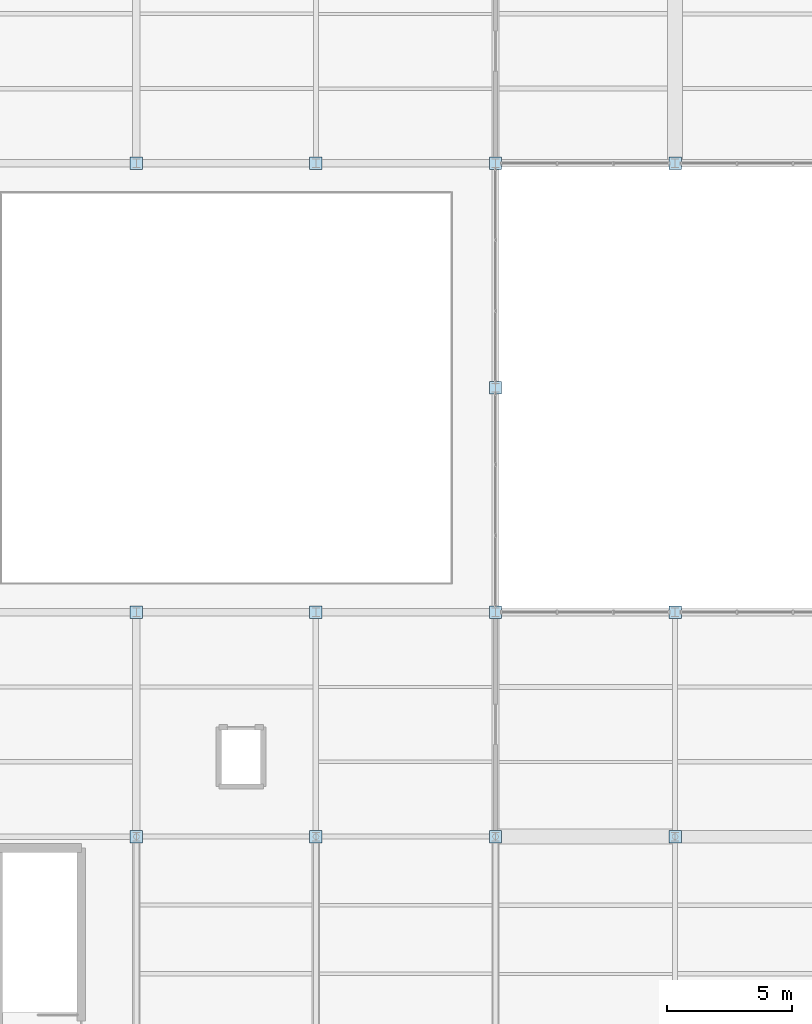
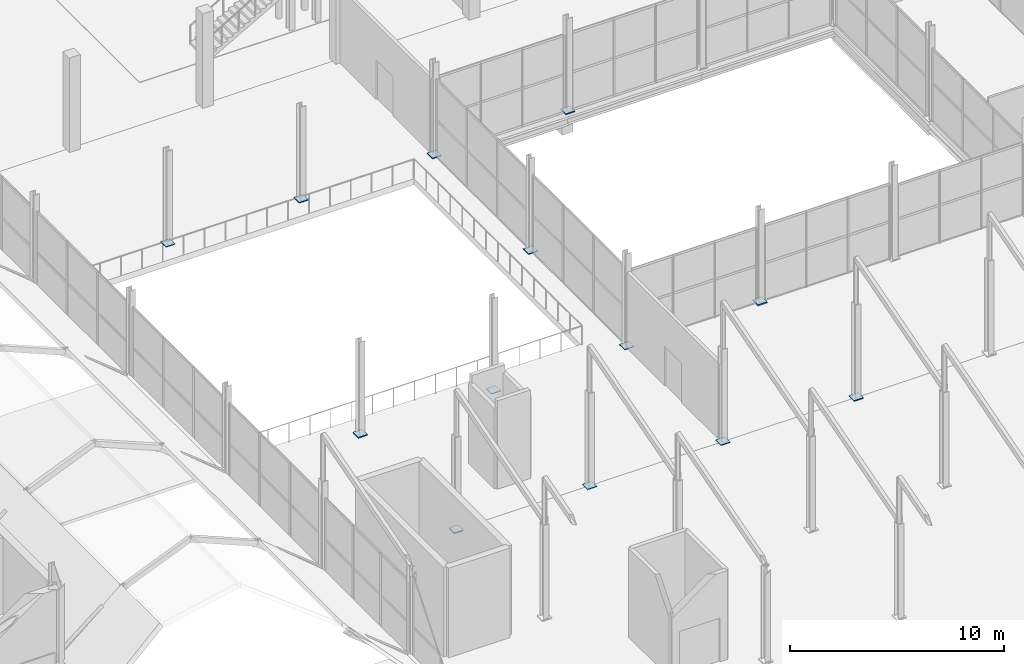
# One storey, part 111 of 141: 13 plates.
"""IFC4 building model written with IfcOpenShell, lengths in metres."""

from ifc_helpers import new_model, si_unit, direction, frame, origin, origin_2d, place, context, subcontext, project, spatial, rectangle, extrude, material, layer, layer_set, type_object, element, save


model = new_model("IFC4")

# Units and contexts
model_context = context("Model", 3, precision=1e-05, world=origin(), true_north=direction((0.0, 1.0)))
body_context = subcontext(model_context, "Body", "Model", "MODEL_VIEW")
ifc_project = project(units=[si_unit("LENGTHUNIT", "METRE"), si_unit("AREAUNIT", "SQUARE_METRE"), si_unit("VOLUMEUNIT", "CUBIC_METRE"), si_unit("PLANEANGLEUNIT", "RADIAN"), si_unit("MASSUNIT", "GRAM", prefix="KILO")], contexts=[model_context])

# Site, building, storey
site_placement = place(None, origin())
site = spatial("IfcSite", under=ifc_project, at=site_placement, CompositionType="ELEMENT")
building_placement = place(site_placement, origin())
building = spatial("IfcBuilding", under=site, at=building_placement, Name="Sundgate Opera House", CompositionType="ELEMENT")
storey_placement = place(building_placement, frame((0.0, 0.0, 11.39990234375)))
storey = spatial("IfcBuildingStorey", under=building, at=storey_placement, Name="L02", CompositionType="ELEMENT", Elevation=11.39990234375)

# Plates
ifc_material_1 = material(Name="Steel S355J2", Category="steel")
ifc_layer_1 = layer(ifc_material_1, 0.030029296875)
ifc_layer_set_1 = layer_set([ifc_layer_1], Name="Steel S355J2")
plate_type_1 = type_object("IfcPlateType", Name="PT-BAS-30", PredefinedType="USERDEFINED", material=ifc_layer_set_1)
for number, where, z_axis, x_axis, name in (
    (1, (102.60009765625, 60.0, 0.0), (0.0, 0.0, 1.0), (1.0, 0.0, 0.0), "L02 Base Plate PT0251"),
    (2, (109.800048828125, 33.0, 0.0), (0.0, 0.0, 1.0), (1.0, 0.0, 0.0), "L02 Base Plate PT0264"),
):
    element("IfcPlate", number, at=place(storey_placement, frame(where, z_axis=z_axis, x_axis=x_axis)), inside=storey, type_object=plate_type_1, Name=name, ObjectType="BASE PLATE", PredefinedType="USERDEFINED", context=body_context, shape_type="SweptSolid", body=[
        extrude(rectangle(XDim=0.5, YDim=0.5, at=origin_2d()), origin(), (0.0, 0.0, 1.0), 0.030029296875),
    ])
ifc_material_2 = material(Name="Steel S355J2", Category="steel")
ifc_layer_2 = layer(ifc_material_2, 0.033935546875)
ifc_layer_set_2 = layer_set([ifc_layer_2], Name="Steel S355J2")
plate_type_2 = type_object("IfcPlateType", Name="PT-BAS-34", PredefinedType="USERDEFINED", material=ifc_layer_set_2)
plate_1_placement = place(storey_placement, frame((109.800048828125, 42.0, 0.0), z_axis=(0.0, 0.0, 1.0), x_axis=(1.0, 0.0, 0.0)))
element("IfcPlate", 3, at=plate_1_placement, inside=storey, type_object=plate_type_2, Name="L02 Base Plate PT0267", ObjectType="BASE PLATE", PredefinedType="USERDEFINED", context=body_context, shape_type="SweptSolid", body=[
    extrude(rectangle(XDim=0.5, YDim=0.5, at=origin_2d()), origin(), (0.0, 0.0, 1.0), 0.033935546875),
])
ifc_material_3 = material(Name="Steel S355J2", Category="steel")
ifc_layer_3 = layer(ifc_material_3, 0.035888671875)
ifc_layer_set_3 = layer_set([ifc_layer_3], Name="Steel S355J2")
plate_type_3 = type_object("IfcPlateType", Name="PT-BAS-36", PredefinedType="USERDEFINED", material=ifc_layer_set_3)
plate_2_placement = place(storey_placement, frame((117.0, 33.0, 0.0), z_axis=(0.0, 0.0, 1.0), x_axis=(1.0, 0.0, 0.0)))
element("IfcPlate", 4, at=plate_2_placement, inside=storey, type_object=plate_type_3, Name="L02 Base Plate PT0283", ObjectType="BASE PLATE", PredefinedType="USERDEFINED", context=body_context, shape_type="SweptSolid", body=[
    extrude(rectangle(XDim=0.5, YDim=0.5, at=origin_2d()), origin(), (0.0, 0.0, 1.0), 0.035888671875),
])
ifc_material_4 = material(Name="Steel S355J2", Category="steel")
ifc_layer_4 = layer(ifc_material_4, 0.0400390625)
ifc_layer_set_4 = layer_set([ifc_layer_4], Name="Steel S355J2")
plate_type_4 = type_object("IfcPlateType", Name="PT-BAS-40", PredefinedType="USERDEFINED", material=ifc_layer_set_4)
for number, where, z_axis, x_axis, name in (
    (5, (109.800048828125, 60.0, 0.0), (0.0, 0.0, 1.0), (1.0, 0.0, 0.0), "L02 Base Plate PT0270"),
    (6, (117.0, 42.0, 0.0), (0.0, 0.0, 1.0), (1.0, 0.0, 0.0), "L02 Base Plate PT0286"),
):
    element("IfcPlate", number, at=place(storey_placement, frame(where, z_axis=z_axis, x_axis=x_axis)), inside=storey, type_object=plate_type_4, Name=name, ObjectType="BASE PLATE", PredefinedType="USERDEFINED", context=body_context, shape_type="SweptSolid", body=[
        extrude(rectangle(XDim=0.5, YDim=0.5, at=origin_2d()), origin(), (0.0, 0.0, 1.0), 0.0400390625),
    ])
ifc_material_5 = material(Name="Steel S355J2", Category="steel")
ifc_layer_5 = layer(ifc_material_5, 0.044921875)
ifc_layer_set_5 = layer_set([ifc_layer_5], Name="Steel S355J2")
plate_type_5 = type_object("IfcPlateType", Name="PT-BAS-45", PredefinedType="USERDEFINED", material=ifc_layer_set_5)
plate_3_placement = place(storey_placement, frame((117.0, 51.0, 0.000244140625), z_axis=(0.0, 0.0, 1.0), x_axis=(1.0, 0.0, 0.0)))
element("IfcPlate", 7, at=plate_3_placement, inside=storey, type_object=plate_type_5, Name="L02 Base Plate PT0289", ObjectType="BASE PLATE", PredefinedType="USERDEFINED", context=body_context, shape_type="SweptSolid", body=[
    extrude(rectangle(XDim=0.5, YDim=0.5, at=origin_2d()), origin(), (0.0, 0.0, 1.0), 0.044921875),
])
ifc_material_6 = material(Name="Steel S355J2", Category="steel")
ifc_layer_6 = layer(ifc_material_6, 0.050048828125)
ifc_layer_set_6 = layer_set([ifc_layer_6], Name="Steel S355J2")
plate_type_6 = type_object("IfcPlateType", Name="PT-BAS-50", PredefinedType="USERDEFINED", material=ifc_layer_set_6)
for number, where, z_axis, x_axis, name in (
    (8, (117.0, 60.0, 0.0), (0.0, 0.0, 1.0), (1.0, 0.0, 0.0), "L02 Base Plate PT0292"),
    (9, (124.199951171875, 33.0, 0.0), (0.0, 0.0, 1.0), (1.0, 0.0, 0.0), "L02 Base Plate PT0305"),
):
    element("IfcPlate", number, at=place(storey_placement, frame(where, z_axis=z_axis, x_axis=x_axis)), inside=storey, type_object=plate_type_6, Name=name, ObjectType="BASE PLATE", PredefinedType="USERDEFINED", context=body_context, shape_type="SweptSolid", body=[
        extrude(rectangle(XDim=0.5, YDim=0.5, at=origin_2d()), origin(), (0.0, 0.0, 1.0), 0.050048828125),
    ])
ifc_material_7 = material(Name="Steel S355J2", Category="steel")
ifc_layer_7 = layer(ifc_material_7, 0.055908203125)
ifc_layer_set_7 = layer_set([ifc_layer_7], Name="Steel S355J2")
plate_type_7 = type_object("IfcPlateType", Name="PT-BAS-56", PredefinedType="USERDEFINED", material=ifc_layer_set_7)
for number, where, z_axis, x_axis, name in (
    (10, (102.60009765625, 42.0, 0.0), (0.0, 0.0, 1.0), (1.0, 0.0, 0.0), "L02 Base Plate PT0248"),
    (11, (124.199951171875, 60.0, 0.0), (0.0, 0.0, 1.0), (1.0, 0.0, 0.0), "L02 Base Plate PT0311"),
):
    element("IfcPlate", number, at=place(storey_placement, frame(where, z_axis=z_axis, x_axis=x_axis)), inside=storey, type_object=plate_type_7, Name=name, ObjectType="BASE PLATE", PredefinedType="USERDEFINED", context=body_context, shape_type="SweptSolid", body=[
        extrude(rectangle(XDim=0.5, YDim=0.5, at=origin_2d()), origin(), (0.0, 0.0, 1.0), 0.055908203125),
    ])
ifc_material_8 = material(Name="Steel S355J2", Category="steel")
ifc_layer_8 = layer(ifc_material_8, 0.06201171875)
ifc_layer_set_8 = layer_set([ifc_layer_8], Name="Steel S355J2")
plate_type_8 = type_object("IfcPlateType", Name="PT-BAS-62", PredefinedType="USERDEFINED", material=ifc_layer_set_8)
plate_4_placement = place(storey_placement, frame((102.60009765625, 33.0, 0.0), z_axis=(0.0, 0.0, 1.0), x_axis=(1.0, 0.0, 0.0)))
element("IfcPlate", 12, at=plate_4_placement, inside=storey, type_object=plate_type_8, Name="L02 Base Plate PT0245", ObjectType="BASE PLATE", PredefinedType="USERDEFINED", context=body_context, shape_type="SweptSolid", body=[
    extrude(rectangle(XDim=0.5, YDim=0.5, at=origin_2d()), origin(), (0.0, 0.0, 1.0), 0.06201171875),
])
ifc_material_9 = material(Name="Steel S355J2", Category="steel")
ifc_layer_9 = layer(ifc_material_9, 0.068115234375)
ifc_layer_set_9 = layer_set([ifc_layer_9], Name="Steel S355J2")
plate_type_9 = type_object("IfcPlateType", Name="PT-BAS-68", PredefinedType="USERDEFINED", material=ifc_layer_set_9)
plate_5_placement = place(storey_placement, frame((124.199951171875, 42.0, 0.0), z_axis=(0.0, 0.0, 1.0), x_axis=(1.0, 0.0, 0.0)))
element("IfcPlate", 13, at=plate_5_placement, inside=storey, type_object=plate_type_9, Name="L02 Base Plate PT0308", ObjectType="BASE PLATE", PredefinedType="USERDEFINED", context=body_context, shape_type="SweptSolid", body=[
    extrude(rectangle(XDim=0.5, YDim=0.5, at=origin_2d()), origin(), (0.0, 0.0, 1.0), 0.068115234375),
])

save(model, "model.ifc")
